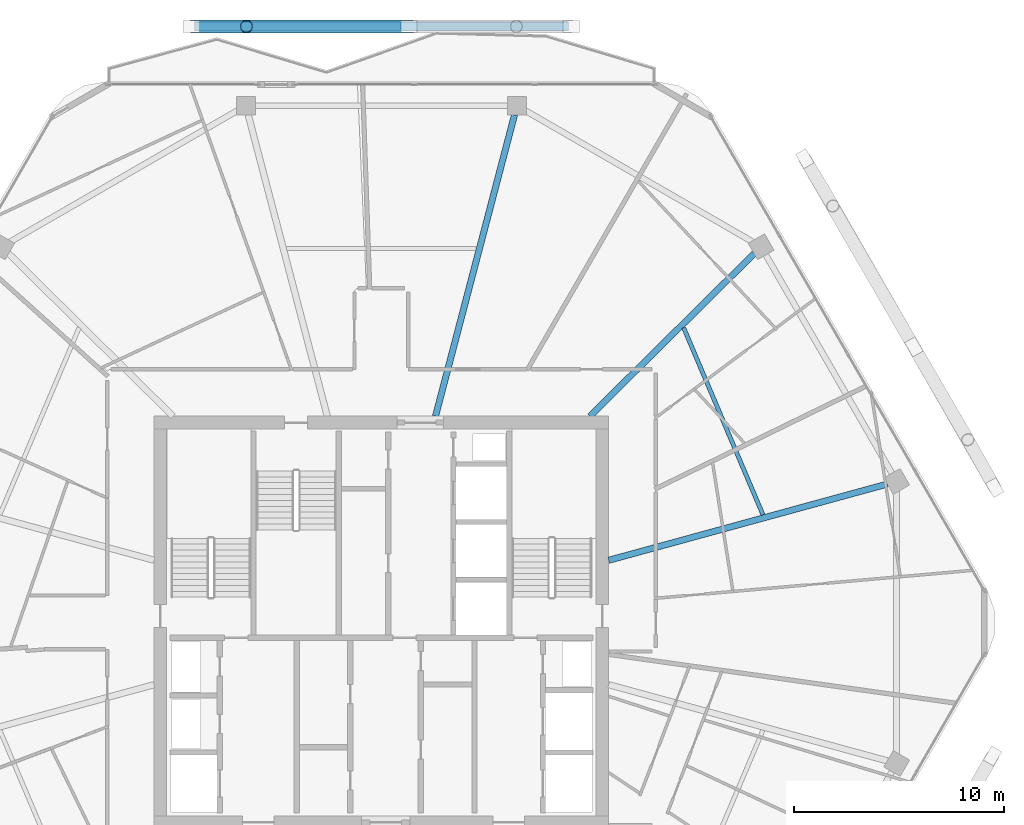
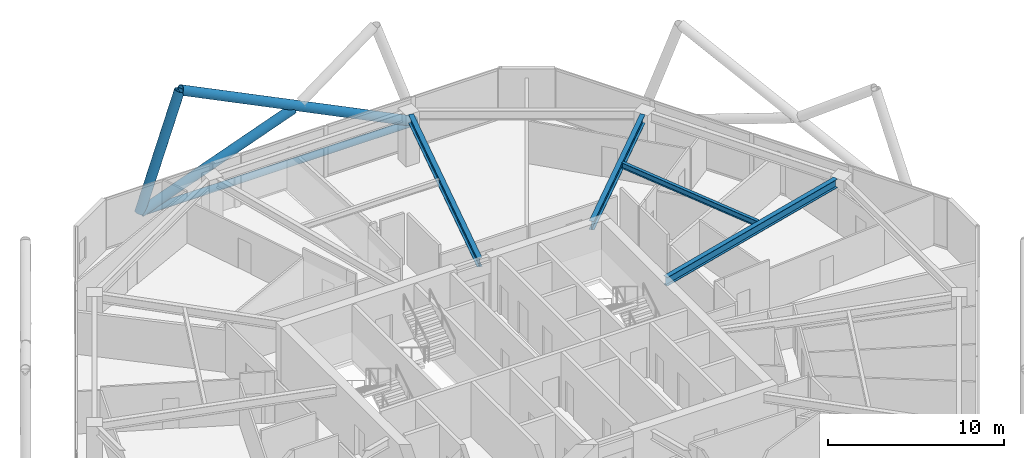
# One storey, part 16 of 26: 4 beams, 4 members.
"""IFC4 building model written with IfcOpenShell, lengths in metres."""

from ifc_helpers import new_model, si_unit, direction, frame, origin, origin_2d, place, context, subcontext, project, spatial, hollow_circle, i_section, extrude, material, material_profile, profile_set, type_object, element, save


model = new_model("IFC4")

# Units and contexts
model_context = context("Model", 3, precision=1e-05, world=origin(), true_north=direction((0.0, 1.0)))
body_context = subcontext(model_context, "Body", "Model", "MODEL_VIEW")
ifc_project = project(units=[si_unit("LENGTHUNIT", "METRE"), si_unit("AREAUNIT", "SQUARE_METRE"), si_unit("VOLUMEUNIT", "CUBIC_METRE"), si_unit("PLANEANGLEUNIT", "RADIAN"), si_unit("MASSUNIT", "GRAM", prefix="KILO")], contexts=[model_context])

# Site, building, storey
site_placement = place(None, origin())
site = spatial("IfcSite", under=ifc_project, at=site_placement, CompositionType="ELEMENT")
building_placement = place(site_placement, origin())
building = spatial("IfcBuilding", under=site, at=building_placement, Name="Zuhravey Tower", CompositionType="ELEMENT")
storey_placement = place(building_placement, frame((0.0, 0.0, 231.199951171875)))
storey = spatial("IfcBuildingStorey", under=building, at=storey_placement, Name="L58", CompositionType="ELEMENT", Elevation=231.199951171875)

# Members
ifc_material = material(Name="Steel SM355", Category="steel")
ifc_material_profile_1 = material_profile(ifc_material, hollow_circle(Radius=0.228515625, WallThickness=0.02197265625, at=origin_2d()), Name="CHS-457.2x22")
ifc_profile_set_1 = profile_set([ifc_material_profile_1], Name="Steel SM355")
member_type_1 = type_object("IfcMemberType", Name="Exoskeleton Ring Tie CHS457x22", PredefinedType="CHORD", material=ifc_profile_set_1)
member_1_placement = place(storey_placement, frame((44.888916015625, 60.323486328125, -0.4638671875), z_axis=(-1.0, 0.0, 0.0), x_axis=(0.0, -1.0, 0.0)))
element("IfcMember", 1, at=member_1_placement, inside=storey, type_object=member_type_1, Name="L58 Exoskeleton Face 2 Tie EXR1", PredefinedType="CHORD", context=body_context, shape_type="SweptSolid", body=[
    extrude(hollow_circle(Radius=0.228515625, WallThickness=0.02197265625, at=origin_2d()), origin(), (0.0, 0.0, 1.0), 17.77783203125),
])
ifc_material_profile_2 = material_profile(ifc_material, hollow_circle(Radius=0.3046875, WallThickness=0.028076171875, at=origin_2d()), Name="CHS-609.6x28")
ifc_profile_set_2 = profile_set([ifc_material_profile_2], Name="Steel SM355")
member_type_2 = type_object("IfcMemberType", Name="Exoskeleton Zone 3 Diagrid CHS610x28", PredefinedType="BRACE", material=ifc_profile_set_2)
member_2_placement = place(storey_placement, frame((44.992431640625, 60.323486328125, -0.446044921875), z_axis=(-0.897156160889, 0.0, 0.441713507807), x_axis=(0.0, -1.0, 0.0)))
element("IfcMember", 2, at=member_2_placement, inside=storey, type_object=member_type_2, Name="L58 Face 2 Diagrid Brace 2", PredefinedType="BRACE", context=body_context, shape_type="SweptSolid", body=[
    extrude(hollow_circle(Radius=0.3046875, WallThickness=0.028076171875, at=origin_2d()), origin(), (0.0, 0.0, 1.0), 17.124755859375),
])
member_3_placement = place(storey_placement, frame((26.977294921875, 60.323486328125, -0.446044921875), z_axis=(0.326050863539, 0.0, 0.945352227683), x_axis=(0.0, 1.0, 0.0)))
element("IfcMember", 3, at=member_3_placement, inside=storey, type_object=member_type_2, Name="L58 Face 2 Diagrid Brace 4", PredefinedType="BRACE", context=body_context, shape_type="SweptSolid", body=[
    extrude(hollow_circle(Radius=0.3046875, WallThickness=0.028076171875, at=origin_2d()), origin(), (0.0, 0.0, 1.0), 8.00146484375),
])
member_4_placement = place(storey_placement, frame((27.00927734375, 60.323486328125, -0.449951171875), z_axis=(0.938612518057, 0.0, 0.344973246712), x_axis=(0.0, 1.0, 0.0)))
element("IfcMember", 4, at=member_4_placement, inside=storey, type_object=member_type_2, Name="L58 Face 2 Split Diagrid Brace 3A", PredefinedType="BRACE", context=body_context, shape_type="SweptSolid", body=[
    extrude(hollow_circle(Radius=0.3046875, WallThickness=0.028076171875, at=origin_2d()), origin(), (0.0, 0.0, 1.0), 10.679931640625),
])

# Beams
ifc_material_profile_3 = material_profile(ifc_material, i_section(OverallWidth=0.300048828125, OverallDepth=0.60009765625, WebThickness=0.011962890625, FlangeThickness=0.02001953125, at=origin_2d()), Name="H-600x300x12x20")
ifc_profile_set_3 = profile_set([ifc_material_profile_3], Name="Steel SM355")
beam_type_1 = type_object("IfcBeamType", Name="Radial Primary Girder H600x300", PredefinedType="BEAM", material=ifc_profile_set_3)
beam_1_placement = place(storey_placement, frame((46.802978515625, 34.95556640625, 3.25), z_axis=(0.964548913045, 0.26390413855, 0.0), x_axis=(-0.26390413855, 0.964548913045, 0.0)))
element("IfcBeam", 5, at=beam_1_placement, inside=storey, type_object=beam_type_1, Name="L58 RG3 BM-L58-RAD-01", PredefinedType="BEAM", context=body_context, shape_type="SweptSolid", body=[
    extrude(i_section(OverallWidth=0.300048828125, OverallDepth=0.60009765625, WebThickness=0.011962890625, FlangeThickness=0.02001953125, at=origin_2d()), origin(), (0.0, 0.0, 1.0), 13.7314453125),
])
beam_2_placement = place(storey_placement, frame((45.90673828125, 41.802978515625, 3.25), z_axis=(0.710816516282, 0.703377480576, 0.0), x_axis=(-0.703377480576, 0.710816516282, 0.0)))
element("IfcBeam", 6, at=beam_2_placement, inside=storey, type_object=beam_type_1, Name="L58 RG3 BM-L58-RAD-02", PredefinedType="BEAM", context=body_context, shape_type="SweptSolid", body=[
    extrude(i_section(OverallWidth=0.300048828125, OverallDepth=0.60009765625, WebThickness=0.011962890625, FlangeThickness=0.02001953125, at=origin_2d()), origin(), (0.0, 0.0, 1.0), 10.994384765625),
])
beam_3_placement = place(storey_placement, frame((38.571533203125, 41.802978515625, 3.25), z_axis=(0.253731415841, 0.967274712073, 0.0), x_axis=(-0.967274712073, 0.253731415841, 0.0)))
element("IfcBeam", 7, at=beam_3_placement, inside=storey, type_object=beam_type_1, Name="L58 RG3 BM-L58-RAD-03", PredefinedType="BEAM", context=body_context, shape_type="SweptSolid", body=[
    extrude(i_section(OverallWidth=0.300048828125, OverallDepth=0.60009765625, WebThickness=0.011962890625, FlangeThickness=0.02001953125, at=origin_2d()), origin(), (0.0, 0.0, 1.0), 14.796630859375),
])
ifc_material_profile_4 = material_profile(ifc_material, i_section(OverallWidth=0.199951171875, OverallDepth=0.39990234375, WebThickness=0.008056640625, FlangeThickness=0.012939453125, at=origin_2d()), Name="H-400x200x8x13")
ifc_profile_set_4 = profile_set([ifc_material_profile_4], Name="Steel SM355")
beam_type_2 = type_object("IfcBeamType", Name="Secondary Floor Joist H400x200", PredefinedType="JOIST", material=ifc_profile_set_4)
beam_4_placement = place(storey_placement, frame((54.130859375, 37.118896484375, 3.35009765625), z_axis=(-0.390413493754, 0.920639616731, 0.0), x_axis=(-0.920639616731, -0.390413493754, 0.0)))
element("IfcBeam", 8, at=beam_4_placement, inside=storey, type_object=beam_type_2, Name="L58 SJ2 BM-L58-SJ-01-1", PredefinedType="JOIST", context=body_context, shape_type="SweptSolid", body=[
    extrude(i_section(OverallWidth=0.199951171875, OverallDepth=0.39990234375, WebThickness=0.008056640625, FlangeThickness=0.012939453125, at=origin_2d()), origin(), (0.0, 0.0, 1.0), 9.656494140625),
])

save(model, "model.ifc")
